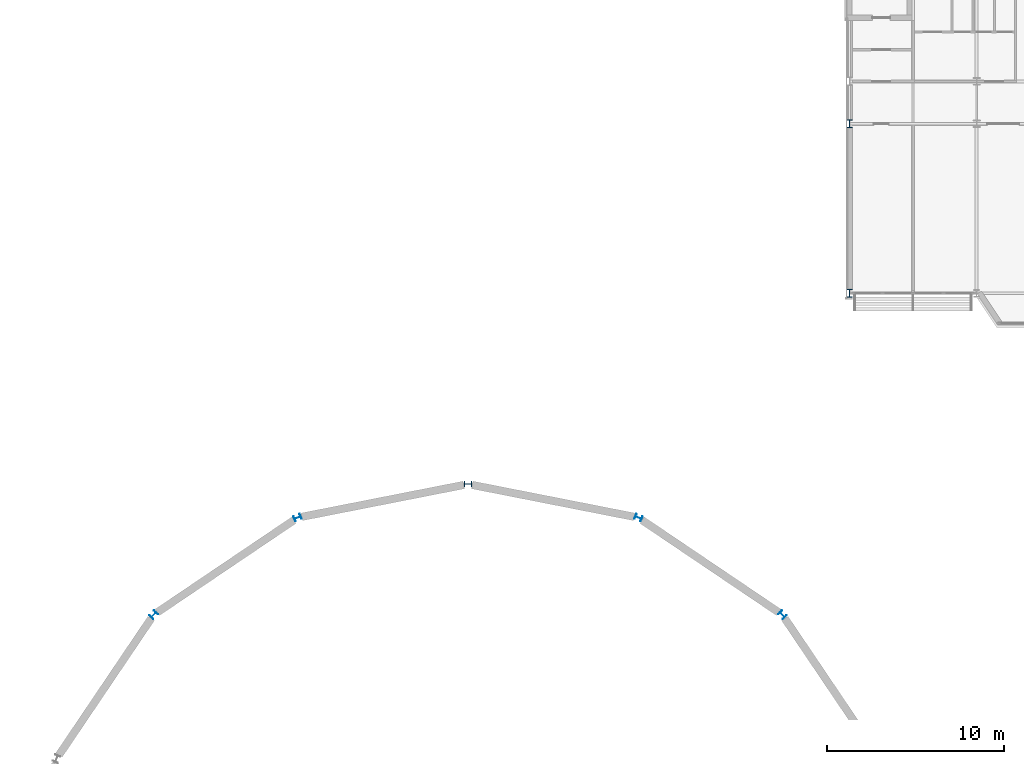
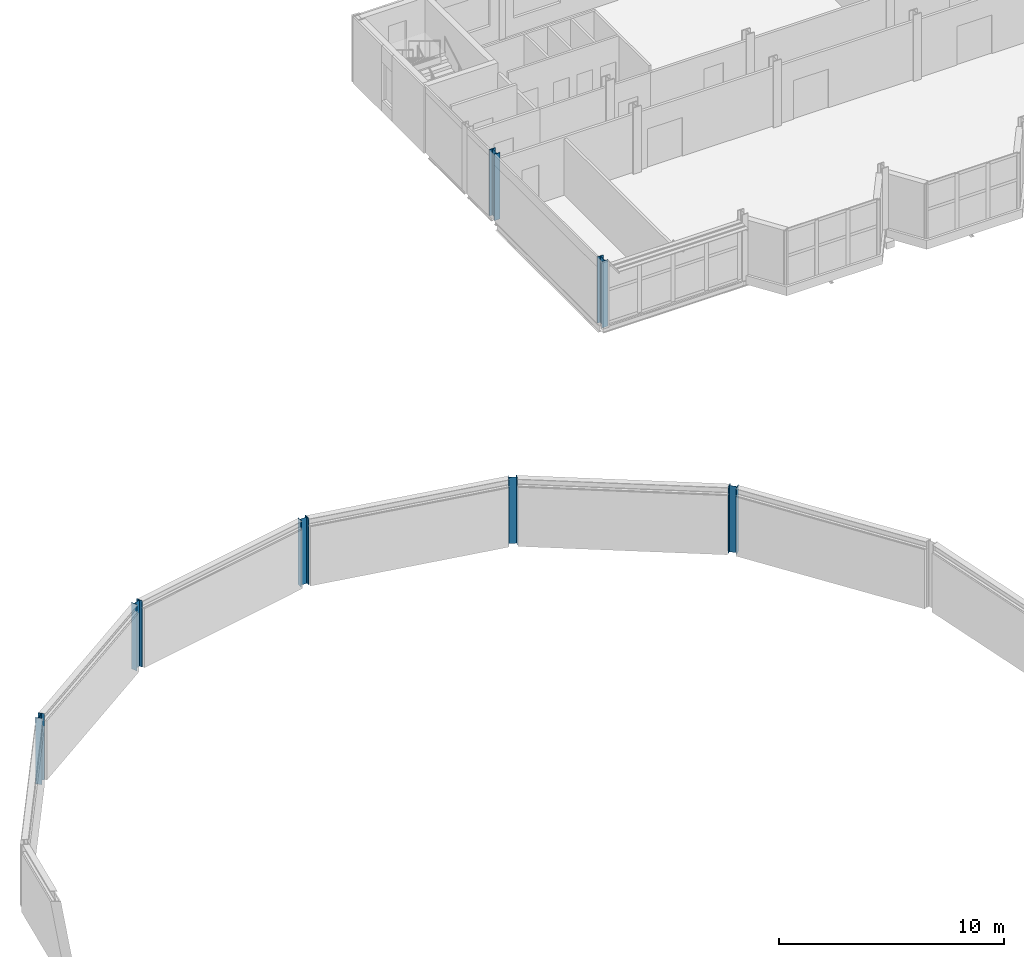
# One storey, part 5 of 120: 7 columns.
"""IFC4 building model written with IfcOpenShell, lengths in metres."""

import ifcopenshell
import ifcopenshell.guid

model = None  # the IFC model being written
_history = None  # IfcOwnerHistory: only IFC2X3 demands one
_inside = {}  # id of a spatial element -> (the spatial element, [elements in it])
_under = {}  # id of a project, library or spatial element -> (it, [spatial elements below it])
_declared = {}  # id of a project -> (the project, [libraries it declares])
_typed = {}  # id of a type object -> (the type object, [elements of that type])
_made_of = {}  # id of a material, layer set ... -> (it, [elements and type objects made of it])


def new_model(schema):
    """Start an empty IFC model of exactly this schema.

    Asked for "IFC4X3", IfcOpenShell would pick the latest addendum, in which some entities
    have other attributes; the version numbers below select the first issue.
    IFC2X3 requires an IfcOwnerHistory on every rooted entity: one is made here for all.
    """
    global model, _history
    if schema == "IFC4X3":
        model = ifcopenshell.file(schema_version=(4, 3, 0, 0))
    else:
        model = ifcopenshell.file(schema=schema)
    _inside.clear()
    _under.clear()
    _declared.clear()
    _typed.clear()
    _made_of.clear()
    _history = None
    if model.schema == "IFC2X3":
        org = make("IfcOrganization", Name="unknown")
        user = make(
            "IfcPersonAndOrganization",
            ThePerson=make("IfcPerson", FamilyName="unknown"),
            TheOrganization=org,
        )
        app = make(
            "IfcApplication",
            ApplicationDeveloper=org,
            Version="unknown",
            ApplicationFullName="unknown",
            ApplicationIdentifier="unknown",
        )
        _history = make(
            "IfcOwnerHistory",
            OwningUser=user,
            OwningApplication=app,
            ChangeAction="ADDED",
            CreationDate=0,
        )
    return model


def make(cls, **values):
    """One entity of the class cls with the attributes given. An attribute that is None is left unset."""
    return model.create_entity(
        cls, **{name: value for name, value in values.items() if value is not None}
    )


def rooted(cls, **values):
    """An entity with a GlobalId (a new one), such as an element, a storey or a relation."""
    return make(cls, GlobalId=ifcopenshell.guid.new(), OwnerHistory=_history, **values)


def si_unit(unit_type, name, prefix=None):
    """IfcSIUnit, for example si_unit("LENGTHUNIT", "METRE", prefix="MILLI")."""
    return make("IfcSIUnit", UnitType=unit_type, Prefix=prefix, Name=name)


def assignment(units):
    """IfcUnitAssignment: the units of a project."""
    return None if units is None else make("IfcUnitAssignment", Units=units)


def point(xyz):
    """IfcCartesianPoint."""
    return None if xyz is None else make("IfcCartesianPoint", Coordinates=xyz)


def direction(xyz):
    """IfcDirection."""
    return None if xyz is None else make("IfcDirection", DirectionRatios=xyz)


def frame(location, z_axis=None, x_axis=None):
    """IfcAxis2Placement3D, a coordinate frame: its origin and axes. An axis left out is left unset."""
    return make(
        "IfcAxis2Placement3D",
        Location=point(location),
        Axis=direction(z_axis),
        RefDirection=direction(x_axis),
    )


def frame_2d(location, x_axis=None):
    """IfcAxis2Placement2D, a coordinate frame in the plane: its origin and x axis."""
    return make(
        "IfcAxis2Placement2D", Location=point(location), RefDirection=direction(x_axis)
    )


def origin():
    """The frame at (0, 0, 0) with its axes left unset."""
    return frame((0.0, 0.0, 0.0))


def origin_2d():
    """The frame at (0, 0) in the plane with its x axis left unset."""
    return frame_2d((0.0, 0.0))


def place(relative_to, where):
    """IfcLocalPlacement: puts the frame where relative to a parent placement (None: the world)."""
    return make(
        "IfcLocalPlacement", PlacementRelTo=relative_to, RelativePlacement=where
    )


def context(
    kind, dimensions, precision=None, world=None, true_north=None, identifier=None
):
    """IfcGeometricRepresentationContext, for example the 3D "Model" context."""
    return make(
        "IfcGeometricRepresentationContext",
        ContextIdentifier=identifier,
        ContextType=kind,
        CoordinateSpaceDimension=dimensions,
        Precision=precision,
        WorldCoordinateSystem=world,
        TrueNorth=true_north,
    )


def subcontext(parent, identifier, kind, view, scale=None):
    """IfcGeometricRepresentationSubContext, for example "Body" below "Model"."""
    return make(
        "IfcGeometricRepresentationSubContext",
        ContextIdentifier=identifier,
        ContextType=kind,
        ParentContext=parent,
        TargetScale=scale,
        TargetView=view,
    )


def project(units=None, contexts=None):
    """IfcProject with its units and contexts."""
    return rooted(
        "IfcProject",
        Name="project",
        RepresentationContexts=contexts,
        UnitsInContext=assignment(units),
    )


def spatial(cls, under=None, at=None, **own):
    """A site, building, storey or space (cls), placed at a placement, below another one or the project."""
    s = rooted(cls, ObjectPlacement=at, **own)
    if under is not None:
        _under.setdefault(under.id(), (under, []))[1].append(s)
    return s


def profile(cls, at=None, kind="AREA", **sizes):
    """A parametric profile (cls). Its sizes go by their IFC names, for example OverallWidth=200.0."""
    return make(cls, ProfileType=kind, Position=at, **sizes)


def i_section(**sizes):
    """IfcIShapeProfileDef."""
    return profile("IfcIShapeProfileDef", **sizes)


def extrude(swept, where, along, depth):
    """IfcExtrudedAreaSolid: the profile swept, set in the frame where, extruded along a direction by depth."""
    return make(
        "IfcExtrudedAreaSolid",
        SweptArea=swept,
        Position=where,
        ExtrudedDirection=direction(along),
        Depth=depth,
    )


def shape(context_of_items, identifier, shape_type, items):
    """IfcShapeRepresentation: the items that make up one representation, for example the "Body"."""
    return make(
        "IfcShapeRepresentation",
        ContextOfItems=context_of_items,
        RepresentationIdentifier=identifier,
        RepresentationType=shape_type,
        Items=items,
    )


def material(Name=None, Category=None):
    """IfcMaterial."""
    return make("IfcMaterial", Name=Name, Category=Category)


def material_profile(
    of_material, cross_section, Name=None, Category=None, Priority=None
):
    """IfcMaterialProfile: a cross section and its material."""
    return make(
        "IfcMaterialProfile",
        Name=Name,
        Material=of_material,
        Profile=cross_section,
        Priority=Priority,
        Category=Category,
    )


def profile_set(profiles, Name=None, composite=None):
    """IfcMaterialProfileSet."""
    return make(
        "IfcMaterialProfileSet",
        Name=Name,
        MaterialProfiles=profiles,
        CompositeProfile=composite,
    )


def made_of(thing, what):
    """Note that an element or type object is made of a material, layer set ...; save() writes the relation."""
    if what is not None:
        _made_of.setdefault(what.id(), (what, []))[1].append(thing)
    return thing


def type_object(cls, material=None, **own):
    """A type object (cls), such as IfcWallType, which elements share."""
    return made_of(rooted(cls, **own), material)


def element(
    cls,
    number,
    at=None,
    inside=None,
    cuts=None,
    type_object=None,
    material=None,
    context=None,
    identifier="Body",
    shape_type=None,
    held_by="IfcProductDefinitionShape",
    body=None,
    shapes=None,
    **own,
):
    """One element of the class cls, such as IfcWall. Its Tag is "e" and its number.

    at: its placement. inside: the storey or other place that contains it. cuts: it is an
    opening in that element (IfcRelVoidsElement). A single representation is given by context,
    identifier, shape_type and body (its items); several are given by shapes. held_by: the class
    of the entity that holds the representations. save() writes the other relations.
    """
    e = rooted(cls, Tag="e%d" % number, ObjectPlacement=at, **own)
    if body is not None:
        shapes = [shape(context, identifier, shape_type, body)]
    if shapes is not None:
        e.Representation = make(held_by, Representations=shapes)
    if inside is not None:
        _inside.setdefault(inside.id(), (inside, []))[1].append(e)
    if cuts is not None:
        rooted(
            "IfcRelVoidsElement", RelatingBuildingElement=cuts, RelatedOpeningElement=e
        )
    if type_object is not None:
        _typed.setdefault(type_object.id(), (type_object, []))[1].append(e)
    return made_of(e, material)


def aggregate(whole, parts):
    """IfcRelAggregates: a whole, such as a stair, and the parts it consists of."""
    return rooted("IfcRelAggregates", RelatingObject=whole, RelatedObjects=parts)


def save(model, path):
    """Write the relations noted so far, then the file.

    IfcRelAggregates (storeys below a building ...), IfcRelContainedInSpatialStructure (elements
    in a storey), IfcRelDefinesByType, IfcRelAssociatesMaterial and IfcRelDeclares: one each for
    every whole, place, type object, material and project.
    """
    for whole, parts in _under.values():
        aggregate(whole, parts)
    for where, things in _inside.values():
        rooted(
            "IfcRelContainedInSpatialStructure",
            RelatedElements=things,
            RelatingStructure=where,
        )
    for kind, things in _typed.values():
        rooted("IfcRelDefinesByType", RelatedObjects=things, RelatingType=kind)
    for what, things in _made_of.values():
        rooted("IfcRelAssociatesMaterial", RelatedObjects=things, RelatingMaterial=what)
    for by, libraries in _declared.values():
        rooted("IfcRelDeclares", RelatingContext=by, RelatedDefinitions=libraries)
    model.write(path)


model = new_model("IFC4")

# Units and contexts
model_context = context("Model", 3, precision=1e-05, world=origin(), true_north=direction((0.0, 1.0)))
body_context = subcontext(model_context, "Body", "Model", "MODEL_VIEW")
ifc_project = project(units=[si_unit("LENGTHUNIT", "METRE"), si_unit("AREAUNIT", "SQUARE_METRE"), si_unit("VOLUMEUNIT", "CUBIC_METRE"), si_unit("PLANEANGLEUNIT", "RADIAN"), si_unit("MASSUNIT", "GRAM", prefix="KILO")], contexts=[model_context])

# Site, building, storey
site_placement = place(None, origin())
site = spatial("IfcSite", under=ifc_project, at=site_placement, CompositionType="ELEMENT")
building_placement = place(site_placement, origin())
building = spatial("IfcBuilding", under=site, at=building_placement, Name="Kupolbacken Congress Centre", CompositionType="ELEMENT")
storey_placement = place(building_placement, frame((0.0, 0.0, 21.60009765625)))
storey = spatial("IfcBuildingStorey", under=building, at=storey_placement, Name="L06", CompositionType="ELEMENT", Elevation=21.60009765625)

# Columns
ifc_material_1 = material(Name="Steel S355", Category="steel")
ifc_material_profile_1 = material_profile(ifc_material_1, i_section(OverallWidth=0.300048828125, OverallDepth=0.449951171875, WebThickness=0.013916015625, FlangeThickness=0.02587890625, FilletRadius=0.027099609375, at=origin_2d()), Name="HEB 450")
ifc_profile_set_1 = profile_set([ifc_material_profile_1], Name="Steel S355")
column_type_1 = type_object("IfcColumnType", Name="C03 column HEB 450", PredefinedType="COLUMN", material=ifc_profile_set_1)
for number, where, z_axis, x_axis, name in (
    (1, (64.800048828125, 122.39990234375, 0.0), (0.0, 0.0, 1.0), (1.0, 0.0, 0.0), "S/col/C-T-10T/L06"),
    (2, (64.800048828125, 132.0, 0.0), (0.0, 0.0, 1.0), (1.0, 0.0, 0.0), "S/col/C-T-10U+2400/L06"),
):
    element("IfcColumn", number, at=place(storey_placement, frame(where, z_axis=z_axis, x_axis=x_axis)), inside=storey, type_object=column_type_1, Name=name, PredefinedType="COLUMN", context=body_context, shape_type="SweptSolid", body=[
        extrude(i_section(OverallWidth=0.300048828125, OverallDepth=0.449951171875, WebThickness=0.013916015625, FlangeThickness=0.02587890625, FilletRadius=0.027099609375, at=origin_2d()), origin(), (0.0, 0.0, 1.0), 3.599853515625),
    ])
ifc_material_2 = material(Name="Steel S355", Category="steel")
ifc_material_profile_2 = material_profile(ifc_material_2, i_section(OverallWidth=0.300048828125, OverallDepth=0.39990234375, WebThickness=0.013427734375, FlangeThickness=0.02392578125, FilletRadius=0.027099609375, at=origin_2d()), Name="HEB 400")
ifc_profile_set_2 = profile_set([ifc_material_profile_2], Name="Steel S355")
column_type_2 = type_object("IfcColumnType", Name="C08 column HEB 400", PredefinedType="COLUMN", material=ifc_profile_set_2)
for number, where, z_axis, x_axis, name in (
    (3, (61.0, 104.199951171875, 0.0), (0.0, 0.0, 1.0), (0.707106781187, 0.707106781187, 0.0), "S/col/C-D03/L06"),
    (4, (52.85009765625, 109.699951171875, 0.0), (0.0, 0.0, 1.0), (0.382643629864, 0.923896018243, 0.0), "S/col/C-D04/L06"),
    (5, (43.199951171875, 111.60009765625, 0.0), (0.0, 0.0, 1.0), (0.0, 1.0, 0.0), "S/col/C-D05/L06"),
    (6, (33.550048828125, 109.699951171875, 0.0), (0.0, 0.0, 1.0), (-0.382643629864, 0.923896018243, 0.0), "S/col/C-D06/L06"),
    (7, (25.39990234375, 104.199951171875, 0.0), (0.0, 0.0, 1.0), (-0.707106781187, 0.707106781187, 0.0), "S/col/C-D07/L06"),
):
    element("IfcColumn", number, at=place(storey_placement, frame(where, z_axis=z_axis, x_axis=x_axis)), inside=storey, type_object=column_type_2, Name=name, PredefinedType="COLUMN", context=body_context, shape_type="SweptSolid", body=[
        extrude(i_section(OverallWidth=0.300048828125, OverallDepth=0.39990234375, WebThickness=0.013427734375, FlangeThickness=0.02392578125, FilletRadius=0.027099609375, at=origin_2d()), origin(), (0.0, 0.0, 1.0), 3.599853515625),
    ])

save(model, "model.ifc")
